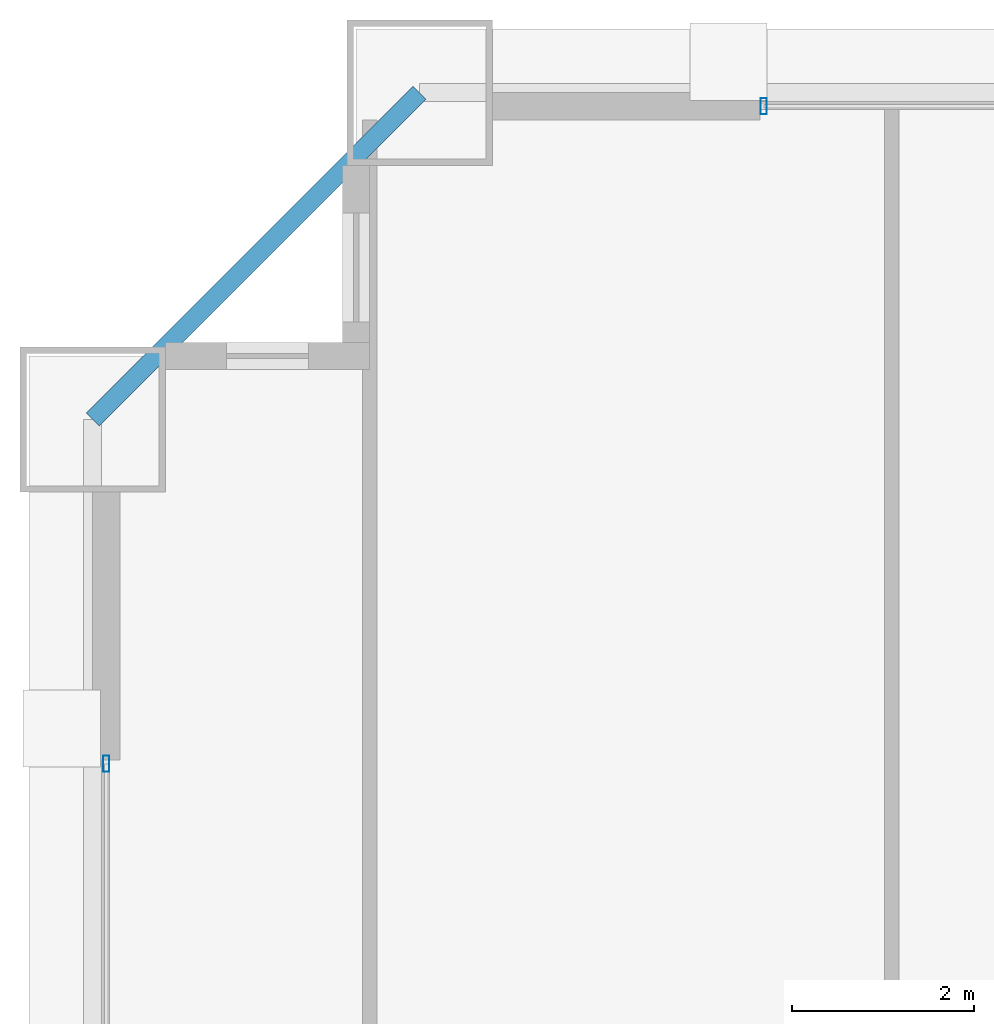
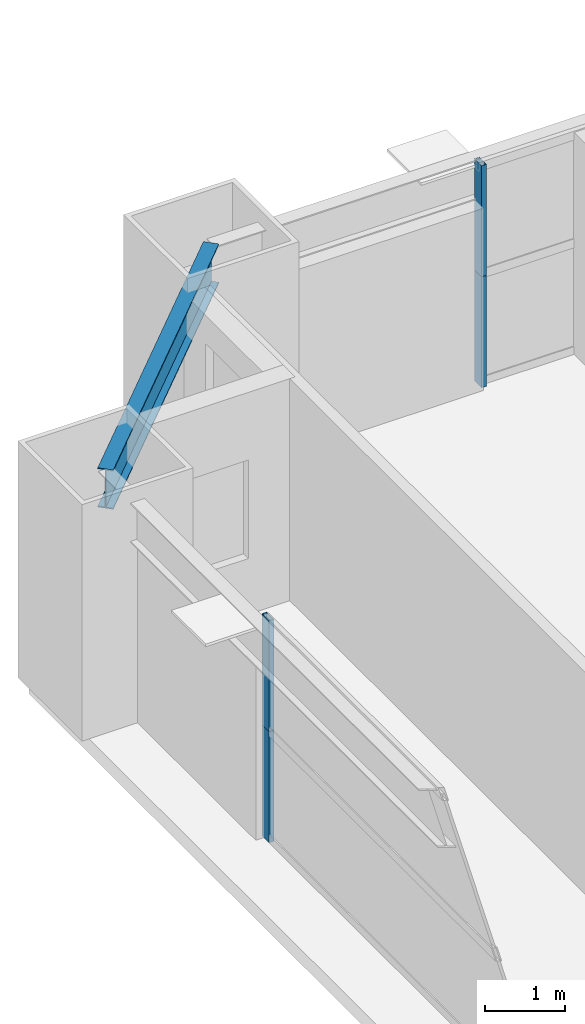
# One storey, part 22 of 38: 4 members, 1 beam, 2 elements without a shape of their own.
"""IFC4 building model written with IfcOpenShell, lengths in metres."""

from ifc_helpers import new_model, si_unit, direction, frame, origin, origin_2d, place, context, subcontext, project, spatial, hollow_rectangle, i_section, extrude, source, transform, mapped, material, layer, layer_set, material_profile, profile_set, type_object, element, aggregate, save


model = new_model("IFC4")

# Units and contexts
model_context = context("Model", 3, precision=1e-05, world=origin(), true_north=direction((0.0, 1.0)))
body_context = subcontext(model_context, "Body", "Model", "MODEL_VIEW")
ifc_project = project(units=[si_unit("LENGTHUNIT", "METRE"), si_unit("AREAUNIT", "SQUARE_METRE"), si_unit("VOLUMEUNIT", "CUBIC_METRE"), si_unit("PLANEANGLEUNIT", "RADIAN"), si_unit("MASSUNIT", "GRAM", prefix="KILO"), si_unit("THERMODYNAMICTEMPERATUREUNIT", "KELVIN"), si_unit("POWERUNIT", "WATT")], contexts=[model_context])

# Site, building, storey
site_placement = place(None, origin())
site = spatial("IfcSite", under=ifc_project, at=site_placement, CompositionType="ELEMENT")
building_placement = place(site_placement, origin())
building = spatial("IfcBuilding", under=site, at=building_placement, Name="Yuzanri Waterfront Tower", CompositionType="ELEMENT")
storey_placement = place(building_placement, frame((0.0, 0.0, 119.0)))
storey = spatial("IfcBuildingStorey", under=building, at=storey_placement, Name="L31", CompositionType="ELEMENT", Elevation=119.0)

# Beam
ifc_material_1 = material(Name="Steel Q355B", Category="steel")
ifc_material_profile_1 = material_profile(ifc_material_1, i_section(OverallWidth=0.199951171875, OverallDepth=0.60009765625, WebThickness=0.010986328125, FlangeThickness=0.01708984375, at=origin_2d()), Name="HN 600x200x11x17")
ifc_profile_set_1 = profile_set([ifc_material_profile_1], Name="Steel Q355B")
beam_type = type_object("IfcBeamType", Name="Perimeter Spandrel Q355B HN 600x200", PredefinedType="SPANDREL", material=ifc_profile_set_1)
shared_shape_1 = source(origin(), body_context, "Body", "SweptSolid", [
    extrude(i_section(OverallWidth=0.199951171875, OverallDepth=0.60009765625, WebThickness=0.010986328125, FlangeThickness=0.01708984375, at=origin_2d()), origin(), (0.0, 0.0, 1.0), 5.091064453125),
])
beam_placement = place(storey_placement, frame((17.0, 49.39990234375, 3.080078125), z_axis=(-0.707130757816, -0.707082803744, 0.0), x_axis=(0.707082803744, -0.707130757816, 0.0)))
element("IfcBeam", 1, at=beam_placement, inside=storey, type_object=beam_type, Name="L31 Perimeter Spandrel N1-W3", PredefinedType="SPANDREL", context=body_context, shape_type="MappedRepresentation", body=[
    mapped(shared_shape_1, transform((0.0, 0.0, 0.0), scale=1.0)),
])

# Curtain wall, members
ifc_material_2 = material(Name="Anodized Architectural Bronze", Category="metal")
ifc_layer = layer(ifc_material_2, 0.159912109375)
ifc_layer_set = layer_set([ifc_layer], Name="Anodized Architectural Bronze")
curtain_wall_type = type_object("IfcCurtainWallType", Name="Anodized Bronze Hotel Upper-Tier Solar-Control Unitized Curtain Wall 7800", PredefinedType="NOTDEFINED", material=ifc_layer_set)
curtain_wall_1_placement = place(storey_placement, origin())
curtain_wall_1 = element("IfcCurtainWall", 2, at=curtain_wall_1_placement, inside=storey, type_object=curtain_wall_type, Name="L31 Curtain Wall CW-L31-NL", PredefinedType="NOTDEFINED")
ifc_material_3 = material(Name="Anodized Architectural Bronze", Category="metal")
ifc_material_profile_2 = material_profile(ifc_material_3, hollow_rectangle(XDim=0.070068359375, YDim=0.179931640625, WallThickness=0.00390625, at=origin_2d()), Name="CWM 70x180")
ifc_profile_set_2 = profile_set([ifc_material_profile_2], Name="Anodized Architectural Bronze")
member_type = type_object("IfcMemberType", Name="Anodized Bronze Standard Curtain-Wall Mullion 70x180", PredefinedType="MULLION", material=ifc_profile_set_2)
shared_shape_2 = source(origin(), body_context, "Body", "SweptSolid", [
    extrude(hollow_rectangle(XDim=0.070068359375, YDim=0.179931640625, WallThickness=0.00390625, at=origin_2d()), origin(), (0.0, 0.0, 1.0), 1.68798828125),
])
member_1_placement = place(storey_placement, frame((20.7900390625, 49.25, 0.0), z_axis=(0.0, 0.0, 1.0), x_axis=(1.0, 0.0, 0.0)))
member_1 = element("IfcMember", 3, at=member_1_placement, type_object=member_type, Name="CW-L31-NL Lower Mullion 00", PredefinedType="MULLION", context=body_context, shape_type="MappedRepresentation", body=[
    mapped(shared_shape_2, transform((0.0, 0.0, 0.0), scale=1.0)),
])
member_2_placement = place(storey_placement, frame((20.7900390625, 49.25, 1.69189453125), z_axis=(0.0, 0.0, 1.0), x_axis=(1.0, 0.0, 0.0)))
member_2 = element("IfcMember", 4, at=member_2_placement, type_object=member_type, Name="CW-L31-NL Upper Mullion 00", PredefinedType="MULLION", context=body_context, shape_type="MappedRepresentation", body=[
    mapped(shared_shape_2, transform((0.0, 0.0, 0.0), scale=1.0)),
])
aggregate(curtain_wall_1, [member_1, member_2])

curtain_wall_2_placement = place(storey_placement, origin())
curtain_wall_2 = element("IfcCurtainWall", 5, at=curtain_wall_2_placement, inside=storey, type_object=curtain_wall_type, Name="L31 Curtain Wall CW-L31-WR", PredefinedType="NOTDEFINED")
member_3_placement = place(storey_placement, frame((13.550048828125, 42.010009765625, 0.0), z_axis=(0.0, 0.0, 1.0), x_axis=(1.0, 0.0, 0.0)))
member_3 = element("IfcMember", 6, at=member_3_placement, type_object=member_type, Name="CW-L31-WR Lower Mullion 02", PredefinedType="MULLION", context=body_context, shape_type="MappedRepresentation", body=[
    mapped(shared_shape_2, transform((0.0, 0.0, 0.0), scale=1.0)),
])
member_4_placement = place(storey_placement, frame((13.550048828125, 42.010009765625, 1.69189453125), z_axis=(0.0, 0.0, 1.0), x_axis=(1.0, 0.0, 0.0)))
member_4 = element("IfcMember", 7, at=member_4_placement, type_object=member_type, Name="CW-L31-WR Upper Mullion 02", PredefinedType="MULLION", context=body_context, shape_type="MappedRepresentation", body=[
    mapped(shared_shape_2, transform((0.0, 0.0, 0.0), scale=1.0)),
])
aggregate(curtain_wall_2, [member_3, member_4])

save(model, "model.ifc")
